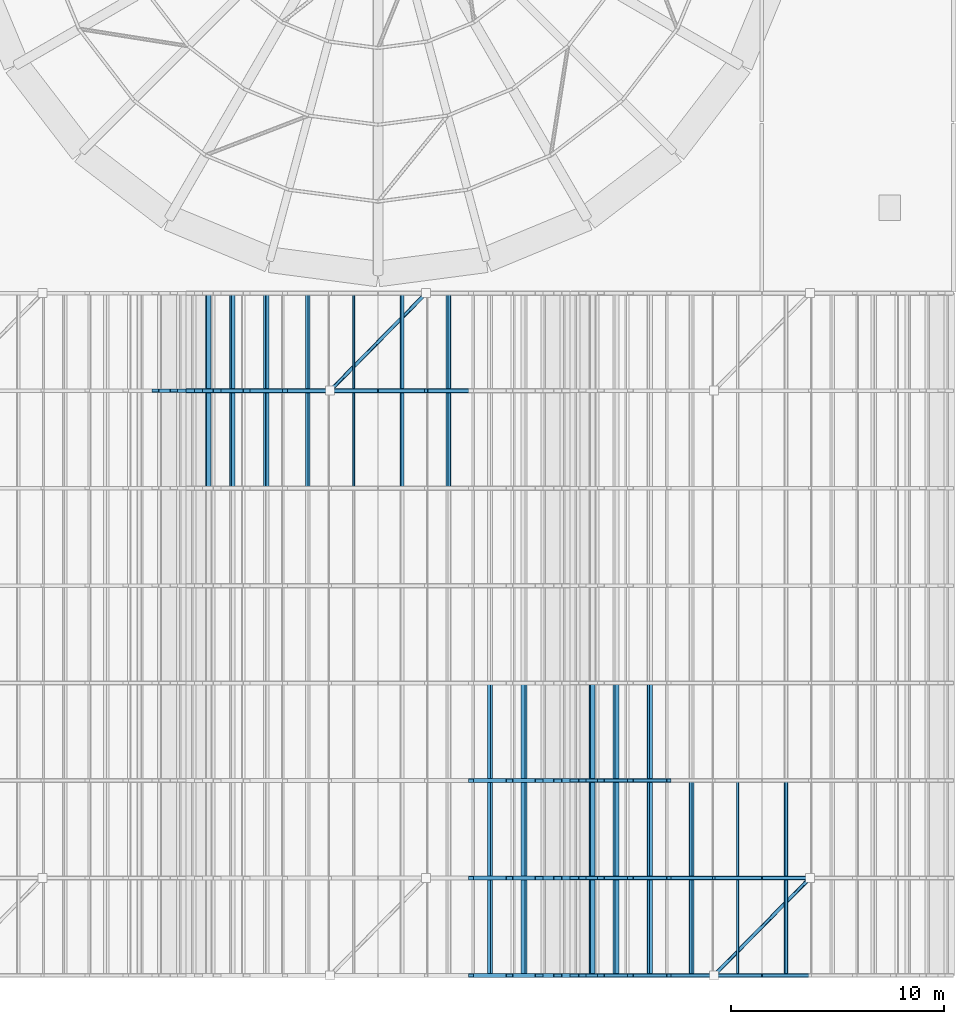
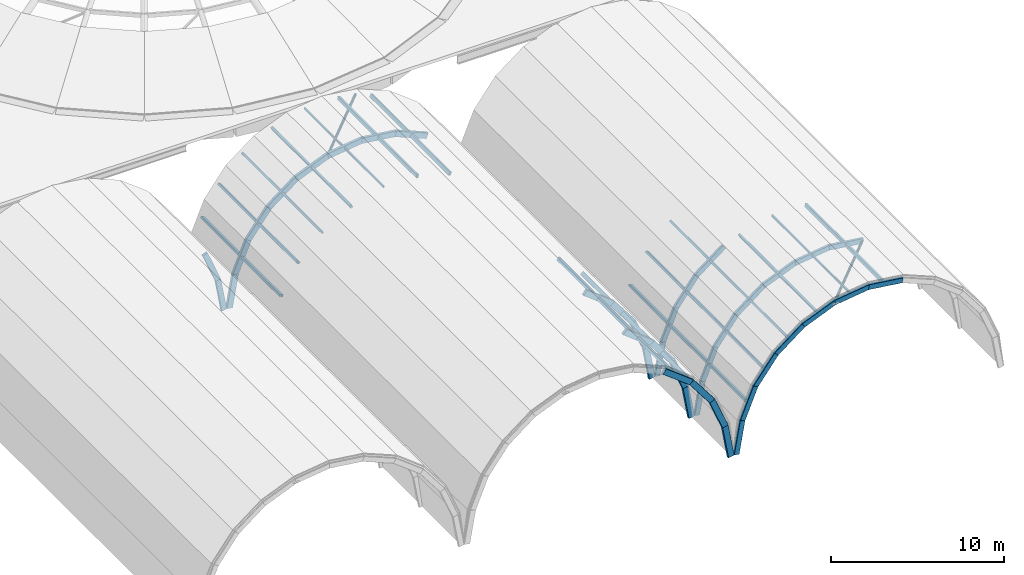
# One storey, part 4 of 25: 77 members.
"""IFC4 building model written with IfcOpenShell, lengths in metres."""

from ifc_helpers import new_model, si_unit, direction, frame, origin, origin_2d, place, context, subcontext, project, spatial, hollow_rectangle, hollow_circle, extrude, material, material_profile, profile_set, type_object, element, save


model = new_model("IFC4")

# Units and contexts
model_context = context("Model", 3, precision=1e-05, world=origin(), true_north=direction((0.0, 1.0)))
body_context = subcontext(model_context, "Body", "Model", "MODEL_VIEW")
ifc_project = project(units=[si_unit("LENGTHUNIT", "METRE"), si_unit("AREAUNIT", "SQUARE_METRE"), si_unit("VOLUMEUNIT", "CUBIC_METRE"), si_unit("PLANEANGLEUNIT", "RADIAN"), si_unit("MASSUNIT", "GRAM", prefix="KILO")], contexts=[model_context])

# Site, building, storey
site_placement = place(None, origin())
site = spatial("IfcSite", under=ifc_project, at=site_placement, CompositionType="ELEMENT")
building_placement = place(site_placement, origin())
building = spatial("IfcBuilding", under=site, at=building_placement, Name="Marnock Terrace Opera House", CompositionType="ELEMENT")
storey_placement = place(building_placement, frame((0.0, 0.0, 28.199951171875)))
storey = spatial("IfcBuildingStorey", under=building, at=storey_placement, Name="RF", CompositionType="ELEMENT", Elevation=28.199951171875)

# Members
ifc_material = material(Name="Cold-formed Steel Grade C350L0 (AS/NZS 1163)", Category="steel")
ifc_material_profile_1 = material_profile(ifc_material, hollow_circle(Radius=0.084228515625, WallThickness=0.007080078125, at=origin_2d()))
ifc_profile_set_1 = profile_set([ifc_material_profile_1], Name="Cold-formed Steel Grade C350L0 (AS/NZS 1163)")
member_type_1 = type_object("IfcMemberType", Name="MEM-BRACE-CHS2", PredefinedType="BRACE", material=ifc_profile_set_1)
for number, where, z_axis, x_axis, name in (
    (1, (79.748291015625, 35.428466796875, -0.596435546875), (0.701779574727, 0.712394152486, 0.0), (-0.712394152486, 0.701779574727, 0.0), "Barrel vault 2 roof wind brace"),
    (2, (97.748291015625, 8.0, -0.596435546875), (0.701779574727, 0.712394152486, 0.0), (-0.712394152486, 0.701779574727, 0.0), "Barrel vault 3 roof wind brace"),
):
    element("IfcMember", number, at=place(storey_placement, frame(where, z_axis=z_axis, x_axis=x_axis)), inside=storey, type_object=member_type_1, Name=name, PredefinedType="BRACE", context=body_context, shape_type="SweptSolid", body=[
        extrude(hollow_circle(Radius=0.084228515625, WallThickness=0.007080078125, at=origin_2d()), origin(), (0.0, 0.0, 1.0), 6.417236328125),
    ])
ifc_material_profile_2 = material_profile(ifc_material, hollow_rectangle(XDim=0.10009765625, YDim=0.14990234375, WallThickness=0.006103515625, InnerFilletRadius=0.006103515625, OuterFilletRadius=0.011962890625, at=origin_2d()))
ifc_profile_set_2 = profile_set([ifc_material_profile_2], Name="Cold-formed Steel Grade C350L0 (AS/NZS 1163)")
member_type_2 = type_object("IfcMemberType", Name="MEM-ROOF-GIRT", PredefinedType="PURLIN", material=ifc_profile_set_2)
member_1_placement = place(storey_placement, frame((80.8681640625, 30.857177734375, -0.402099609375), z_axis=(0.0, 1.0, 0.0), x_axis=(-0.991444861374, 0.0, -0.13052619222)))
element("IfcMember", 3, at=member_1_placement, inside=storey, type_object=member_type_2, Name="Barrel vault 2 bay 6 longitudinal purlin", PredefinedType="PURLIN", context=body_context, shape_type="SweptSolid", body=[
    extrude(hollow_rectangle(XDim=0.10009765625, YDim=0.14990234375, WallThickness=0.006103515625, InnerFilletRadius=0.006103515625, OuterFilletRadius=0.011962890625, at=origin_2d()), origin(), (0.0, 0.0, 1.0), 4.5712890625),
])
for number, where, z_axis, x_axis, name in (
    (4, (80.8681640625, 35.428466796875, -0.402099609375), (0.0, 1.0, 0.0), (-0.991444861374, 0.0, -0.13052619222), "Barrel vault 2 bay 7 longitudinal purlin"),
    (5, (98.8681640625, 8.0, -0.402099609375), (0.0, 1.0, 0.0), (-0.991444861374, 0.0, -0.13052619222), "Barrel vault 3 bay 1 longitudinal purlin"),
):
    element("IfcMember", number, at=place(storey_placement, frame(where, z_axis=z_axis, x_axis=x_axis)), inside=storey, type_object=member_type_2, Name=name, PredefinedType="PURLIN", context=body_context, shape_type="SweptSolid", body=[
        extrude(hollow_rectangle(XDim=0.10009765625, YDim=0.14990234375, WallThickness=0.006103515625, InnerFilletRadius=0.006103515625, OuterFilletRadius=0.011962890625, at=origin_2d()), origin(), (0.0, 0.0, 1.0), 4.571533203125),
    ])
member_2_placement = place(storey_placement, frame((98.8681640625, 12.571533203125, -0.402099609375), z_axis=(0.0, 1.0, 0.0), x_axis=(-0.991444861374, 0.0, -0.13052619222)))
element("IfcMember", 6, at=member_2_placement, inside=storey, type_object=member_type_2, Name="Barrel vault 3 bay 2 longitudinal purlin", PredefinedType="PURLIN", context=body_context, shape_type="SweptSolid", body=[
    extrude(hollow_rectangle(XDim=0.10009765625, YDim=0.14990234375, WallThickness=0.006103515625, InnerFilletRadius=0.006103515625, OuterFilletRadius=0.011962890625, at=origin_2d()), origin(), (0.0, 0.0, 1.0), 4.5712890625),
])
ifc_material_profile_3 = material_profile(ifc_material, hollow_rectangle(XDim=0.199951171875, YDim=0.39990234375, WallThickness=0.012451171875, InnerFilletRadius=0.012451171875, OuterFilletRadius=0.02490234375, at=origin_2d()))
ifc_profile_set_3 = profile_set([ifc_material_profile_3], Name="Cold-formed Steel Grade C350L0 (AS/NZS 1163)")
member_type_3 = type_object("IfcMemberType", Name="MEM-VAULT-ARCH1", PredefinedType="CHORD", material=ifc_profile_set_3)
for number, where, z_axis, x_axis, name in (
    (7, (86.360107421875, 8.0, -1.4482421875), (0.793349078761, 0.0, -0.608766982702), (0.0, 1.0, 0.0), "Barrel vault 2 station 1 arch chord 9"),
    (8, (88.166015625, 8.0, -2.833984375), (0.608766982702, 0.0, -0.793349078761), (0.0, 1.0, 0.0), "Barrel vault 2 station 1 arch chord 10"),
):
    element("IfcMember", number, at=place(storey_placement, frame(where, z_axis=z_axis, x_axis=x_axis)), inside=storey, type_object=member_type_3, Name=name, PredefinedType="CHORD", context=body_context, shape_type="SweptSolid", body=[
        extrude(hollow_rectangle(XDim=0.199951171875, YDim=0.39990234375, WallThickness=0.012451171875, InnerFilletRadius=0.012451171875, OuterFilletRadius=0.02490234375, at=origin_2d()), origin(), (0.0, 0.0, 1.0), 2.2763671875),
    ])
member_3_placement = place(storey_placement, frame((89.5517578125, 8.0, -4.639892578125), z_axis=(0.382642254796, 0.0, -0.923896587744), x_axis=(0.0, 1.0, 0.0)))
element("IfcMember", 9, at=member_3_placement, inside=storey, type_object=member_type_3, Name="Barrel vault 2 station 1 arch chord 11", PredefinedType="CHORD", context=body_context, shape_type="SweptSolid", body=[
    extrude(hollow_rectangle(XDim=0.199951171875, YDim=0.39990234375, WallThickness=0.012451171875, InnerFilletRadius=0.012451171875, OuterFilletRadius=0.02490234375, at=origin_2d()), origin(), (0.0, 0.0, 1.0), 2.276611328125),
])
member_4_placement = place(storey_placement, frame((90.4228515625, 8.0, -6.7431640625), z_axis=(0.173341635248, 0.0, -0.984861755522), x_axis=(0.0, 1.0, 0.0)))
element("IfcMember", 10, at=member_4_placement, inside=storey, type_object=member_type_3, Name="Barrel vault 2 station 1 arch chord 12", PredefinedType="CHORD", context=body_context, shape_type="SweptSolid", body=[
    extrude(hollow_rectangle(XDim=0.199951171875, YDim=0.39990234375, WallThickness=0.012451171875, InnerFilletRadius=0.012451171875, OuterFilletRadius=0.02490234375, at=origin_2d()), origin(), (0.0, 0.0, 1.0), 2.29150390625),
])
for number, where, z_axis, x_axis, name in (
    (11, (86.360107421875, 12.571533203125, -1.4482421875), (0.793349078761, 0.0, -0.608766982702), (0.0, 1.0, 0.0), "Barrel vault 2 station 2 arch chord 9"),
    (12, (88.166015625, 12.571533203125, -2.833984375), (0.608766982702, 0.0, -0.793349078761), (0.0, 1.0, 0.0), "Barrel vault 2 station 2 arch chord 10"),
):
    element("IfcMember", number, at=place(storey_placement, frame(where, z_axis=z_axis, x_axis=x_axis)), inside=storey, type_object=member_type_3, Name=name, PredefinedType="CHORD", context=body_context, shape_type="SweptSolid", body=[
        extrude(hollow_rectangle(XDim=0.199951171875, YDim=0.39990234375, WallThickness=0.012451171875, InnerFilletRadius=0.012451171875, OuterFilletRadius=0.02490234375, at=origin_2d()), origin(), (0.0, 0.0, 1.0), 2.2763671875),
    ])
member_5_placement = place(storey_placement, frame((89.5517578125, 12.571533203125, -4.639892578125), z_axis=(0.382642254796, 0.0, -0.923896587744), x_axis=(0.0, 1.0, 0.0)))
element("IfcMember", 13, at=member_5_placement, inside=storey, type_object=member_type_3, Name="Barrel vault 2 station 2 arch chord 11", PredefinedType="CHORD", context=body_context, shape_type="SweptSolid", body=[
    extrude(hollow_rectangle(XDim=0.199951171875, YDim=0.39990234375, WallThickness=0.012451171875, InnerFilletRadius=0.012451171875, OuterFilletRadius=0.02490234375, at=origin_2d()), origin(), (0.0, 0.0, 1.0), 2.276611328125),
])
member_6_placement = place(storey_placement, frame((90.4228515625, 12.571533203125, -6.7431640625), z_axis=(0.173341635248, 0.0, -0.984861755522), x_axis=(0.0, 1.0, 0.0)))
element("IfcMember", 14, at=member_6_placement, inside=storey, type_object=member_type_3, Name="Barrel vault 2 station 2 arch chord 12", PredefinedType="CHORD", context=body_context, shape_type="SweptSolid", body=[
    extrude(hollow_rectangle(XDim=0.199951171875, YDim=0.39990234375, WallThickness=0.012451171875, InnerFilletRadius=0.012451171875, OuterFilletRadius=0.02490234375, at=origin_2d()), origin(), (0.0, 0.0, 1.0), 2.29150390625),
])
for number, where, z_axis, x_axis, name in (
    (15, (86.360107421875, 17.142822265625, -1.4482421875), (0.793349078761, 0.0, -0.608766982702), (0.0, 1.0, 0.0), "Barrel vault 2 station 3 arch chord 9"),
    (16, (88.166015625, 17.142822265625, -2.833984375), (0.608766982702, 0.0, -0.793349078761), (0.0, 1.0, 0.0), "Barrel vault 2 station 3 arch chord 10"),
):
    element("IfcMember", number, at=place(storey_placement, frame(where, z_axis=z_axis, x_axis=x_axis)), inside=storey, type_object=member_type_3, Name=name, PredefinedType="CHORD", context=body_context, shape_type="SweptSolid", body=[
        extrude(hollow_rectangle(XDim=0.199951171875, YDim=0.39990234375, WallThickness=0.012451171875, InnerFilletRadius=0.012451171875, OuterFilletRadius=0.02490234375, at=origin_2d()), origin(), (0.0, 0.0, 1.0), 2.2763671875),
    ])
member_7_placement = place(storey_placement, frame((89.5517578125, 17.142822265625, -4.639892578125), z_axis=(0.382642254796, 0.0, -0.923896587744), x_axis=(0.0, 1.0, 0.0)))
element("IfcMember", 17, at=member_7_placement, inside=storey, type_object=member_type_3, Name="Barrel vault 2 station 3 arch chord 11", PredefinedType="CHORD", context=body_context, shape_type="SweptSolid", body=[
    extrude(hollow_rectangle(XDim=0.199951171875, YDim=0.39990234375, WallThickness=0.012451171875, InnerFilletRadius=0.012451171875, OuterFilletRadius=0.02490234375, at=origin_2d()), origin(), (0.0, 0.0, 1.0), 2.276611328125),
])
for number, where, z_axis, x_axis, name in (
    (18, (90.4228515625, 17.142822265625, -6.7431640625), (0.173341635248, 0.0, -0.984861755522), (0.0, 1.0, 0.0), "Barrel vault 2 station 3 arch chord 12"),
    (19, (73.179931640625, 35.428466796875, -9.0), (0.173341635248, 0.0, 0.984861755522), (0.0, 1.0, 0.0), "Barrel vault 2 station 7 arch chord 1"),
):
    element("IfcMember", number, at=place(storey_placement, frame(where, z_axis=z_axis, x_axis=x_axis)), inside=storey, type_object=member_type_3, Name=name, PredefinedType="CHORD", context=body_context, shape_type="SweptSolid", body=[
        extrude(hollow_rectangle(XDim=0.199951171875, YDim=0.39990234375, WallThickness=0.012451171875, InnerFilletRadius=0.012451171875, OuterFilletRadius=0.02490234375, at=origin_2d()), origin(), (0.0, 0.0, 1.0), 2.29150390625),
    ])
member_8_placement = place(storey_placement, frame((73.5771484375, 35.428466796875, -6.7431640625), z_axis=(0.382642254796, 0.0, 0.923896587744), x_axis=(0.0, 1.0, 0.0)))
element("IfcMember", 20, at=member_8_placement, inside=storey, type_object=member_type_3, Name="Barrel vault 2 station 7 arch chord 2", PredefinedType="CHORD", context=body_context, shape_type="SweptSolid", body=[
    extrude(hollow_rectangle(XDim=0.199951171875, YDim=0.39990234375, WallThickness=0.012451171875, InnerFilletRadius=0.012451171875, OuterFilletRadius=0.02490234375, at=origin_2d()), origin(), (0.0, 0.0, 1.0), 2.276611328125),
])
for number, where, z_axis, x_axis, name in (
    (21, (74.4482421875, 35.428466796875, -4.639892578125), (0.608766982702, 0.0, 0.793349078761), (0.0, 1.0, 0.0), "Barrel vault 2 station 7 arch chord 3"),
    (22, (75.833984375, 35.428466796875, -2.833984375), (0.793349078761, 0.0, 0.608766982702), (0.0, 1.0, 0.0), "Barrel vault 2 station 7 arch chord 4"),
):
    element("IfcMember", number, at=place(storey_placement, frame(where, z_axis=z_axis, x_axis=x_axis)), inside=storey, type_object=member_type_3, Name=name, PredefinedType="CHORD", context=body_context, shape_type="SweptSolid", body=[
        extrude(hollow_rectangle(XDim=0.199951171875, YDim=0.39990234375, WallThickness=0.012451171875, InnerFilletRadius=0.012451171875, OuterFilletRadius=0.02490234375, at=origin_2d()), origin(), (0.0, 0.0, 1.0), 2.2763671875),
    ])
member_9_placement = place(storey_placement, frame((77.639892578125, 35.428466796875, -1.4482421875), z_axis=(0.923896587744, 0.0, 0.382642254796), x_axis=(0.0, 1.0, 0.0)))
element("IfcMember", 23, at=member_9_placement, inside=storey, type_object=member_type_3, Name="Barrel vault 2 station 7 arch chord 5", PredefinedType="CHORD", context=body_context, shape_type="SweptSolid", body=[
    extrude(hollow_rectangle(XDim=0.199951171875, YDim=0.39990234375, WallThickness=0.012451171875, InnerFilletRadius=0.012451171875, OuterFilletRadius=0.02490234375, at=origin_2d()), origin(), (0.0, 0.0, 1.0), 2.276611328125),
])
for number, where, z_axis, x_axis, name in (
    (24, (79.7431640625, 35.428466796875, -0.5771484375), (0.991444801521, 0.0, 0.130526646847), (0.0, 1.0, 0.0), "Barrel vault 2 station 7 arch chord 6"),
    (25, (82.0, 35.428466796875, -0.280029296875), (0.991444801521, 0.0, -0.130526646847), (0.0, 1.0, 0.0), "Barrel vault 2 station 7 arch chord 7"),
):
    element("IfcMember", number, at=place(storey_placement, frame(where, z_axis=z_axis, x_axis=x_axis)), inside=storey, type_object=member_type_3, Name=name, PredefinedType="CHORD", context=body_context, shape_type="SweptSolid", body=[
        extrude(hollow_rectangle(XDim=0.199951171875, YDim=0.39990234375, WallThickness=0.012451171875, InnerFilletRadius=0.012451171875, OuterFilletRadius=0.02490234375, at=origin_2d()), origin(), (0.0, 0.0, 1.0), 2.2763671875),
    ])
member_10_placement = place(storey_placement, frame((84.2568359375, 35.428466796875, -0.5771484375), z_axis=(0.923896587744, 0.0, -0.382642254796), x_axis=(0.0, 1.0, 0.0)))
element("IfcMember", 26, at=member_10_placement, inside=storey, type_object=member_type_3, Name="Barrel vault 2 station 7 arch chord 8", PredefinedType="CHORD", context=body_context, shape_type="SweptSolid", body=[
    extrude(hollow_rectangle(XDim=0.199951171875, YDim=0.39990234375, WallThickness=0.012451171875, InnerFilletRadius=0.012451171875, OuterFilletRadius=0.02490234375, at=origin_2d()), origin(), (0.0, 0.0, 1.0), 2.276611328125),
])
ifc_material_profile_4 = material_profile(ifc_material, hollow_rectangle(XDim=0.175048828125, YDim=0.35009765625, WallThickness=0.010009765625, InnerFilletRadius=0.010009765625, OuterFilletRadius=0.02001953125, at=origin_2d()))
ifc_profile_set_4 = profile_set([ifc_material_profile_4], Name="Cold-formed Steel Grade C350L0 (AS/NZS 1163)")
member_type_4 = type_object("IfcMemberType", Name="MEM-VAULT-ARCH2", PredefinedType="CHORD", material=ifc_profile_set_4)
member_11_placement = place(storey_placement, frame((71.5517578125, 35.428466796875, -4.639892578125), z_axis=(0.382642254796, 0.0, -0.923896587744), x_axis=(0.0, 1.0, 0.0)))
element("IfcMember", 27, at=member_11_placement, inside=storey, type_object=member_type_4, Name="Barrel vault 1 station 7 arch chord 11", PredefinedType="CHORD", context=body_context, shape_type="SweptSolid", body=[
    extrude(hollow_rectangle(XDim=0.175048828125, YDim=0.35009765625, WallThickness=0.010009765625, InnerFilletRadius=0.010009765625, OuterFilletRadius=0.02001953125, at=origin_2d()), origin(), (0.0, 0.0, 1.0), 2.276611328125),
])
for number, where, z_axis, x_axis, name in (
    (28, (72.4228515625, 35.428466796875, -6.7431640625), (0.173341635248, 0.0, -0.984861755522), (0.0, 1.0, 0.0), "Barrel vault 1 station 7 arch chord 12"),
    (29, (91.179931640625, 8.0, -9.0), (0.173341635248, 0.0, 0.984861755522), (0.0, 1.0, 0.0), "Barrel vault 3 station 1 arch chord 1"),
):
    element("IfcMember", number, at=place(storey_placement, frame(where, z_axis=z_axis, x_axis=x_axis)), inside=storey, type_object=member_type_4, Name=name, PredefinedType="CHORD", context=body_context, shape_type="SweptSolid", body=[
        extrude(hollow_rectangle(XDim=0.175048828125, YDim=0.35009765625, WallThickness=0.010009765625, InnerFilletRadius=0.010009765625, OuterFilletRadius=0.02001953125, at=origin_2d()), origin(), (0.0, 0.0, 1.0), 2.29150390625),
    ])
member_12_placement = place(storey_placement, frame((91.5771484375, 8.0, -6.7431640625), z_axis=(0.382642254796, 0.0, 0.923896587744), x_axis=(0.0, 1.0, 0.0)))
element("IfcMember", 30, at=member_12_placement, inside=storey, type_object=member_type_4, Name="Barrel vault 3 station 1 arch chord 2", PredefinedType="CHORD", context=body_context, shape_type="SweptSolid", body=[
    extrude(hollow_rectangle(XDim=0.175048828125, YDim=0.35009765625, WallThickness=0.010009765625, InnerFilletRadius=0.010009765625, OuterFilletRadius=0.02001953125, at=origin_2d()), origin(), (0.0, 0.0, 1.0), 2.276611328125),
])
for number, where, z_axis, x_axis, name in (
    (31, (92.4482421875, 8.0, -4.639892578125), (0.608766982702, 0.0, 0.793349078761), (0.0, 1.0, 0.0), "Barrel vault 3 station 1 arch chord 3"),
    (32, (93.833984375, 8.0, -2.833984375), (0.793349078761, 0.0, 0.608766982702), (0.0, 1.0, 0.0), "Barrel vault 3 station 1 arch chord 4"),
):
    element("IfcMember", number, at=place(storey_placement, frame(where, z_axis=z_axis, x_axis=x_axis)), inside=storey, type_object=member_type_4, Name=name, PredefinedType="CHORD", context=body_context, shape_type="SweptSolid", body=[
        extrude(hollow_rectangle(XDim=0.175048828125, YDim=0.35009765625, WallThickness=0.010009765625, InnerFilletRadius=0.010009765625, OuterFilletRadius=0.02001953125, at=origin_2d()), origin(), (0.0, 0.0, 1.0), 2.2763671875),
    ])
member_13_placement = place(storey_placement, frame((95.639892578125, 8.0, -1.4482421875), z_axis=(0.923896587744, 0.0, 0.382642254796), x_axis=(0.0, 1.0, 0.0)))
element("IfcMember", 33, at=member_13_placement, inside=storey, type_object=member_type_4, Name="Barrel vault 3 station 1 arch chord 5", PredefinedType="CHORD", context=body_context, shape_type="SweptSolid", body=[
    extrude(hollow_rectangle(XDim=0.175048828125, YDim=0.35009765625, WallThickness=0.010009765625, InnerFilletRadius=0.010009765625, OuterFilletRadius=0.02001953125, at=origin_2d()), origin(), (0.0, 0.0, 1.0), 2.276611328125),
])
for number, where, z_axis, x_axis, name in (
    (34, (97.7431640625, 8.0, -0.5771484375), (0.991444801521, 0.0, 0.130526646847), (0.0, 1.0, 0.0), "Barrel vault 3 station 1 arch chord 6"),
    (35, (100.0, 8.0, -0.280029296875), (0.991444801521, 0.0, -0.130526646847), (0.0, 1.0, 0.0), "Barrel vault 3 station 1 arch chord 7"),
):
    element("IfcMember", number, at=place(storey_placement, frame(where, z_axis=z_axis, x_axis=x_axis)), inside=storey, type_object=member_type_4, Name=name, PredefinedType="CHORD", context=body_context, shape_type="SweptSolid", body=[
        extrude(hollow_rectangle(XDim=0.175048828125, YDim=0.35009765625, WallThickness=0.010009765625, InnerFilletRadius=0.010009765625, OuterFilletRadius=0.02001953125, at=origin_2d()), origin(), (0.0, 0.0, 1.0), 2.2763671875),
    ])
member_14_placement = place(storey_placement, frame((91.179931640625, 12.571533203125, -9.0), z_axis=(0.173341635248, 0.0, 0.984861755522), x_axis=(0.0, 1.0, 0.0)))
element("IfcMember", 36, at=member_14_placement, inside=storey, type_object=member_type_4, Name="Barrel vault 3 station 2 arch chord 1", PredefinedType="CHORD", context=body_context, shape_type="SweptSolid", body=[
    extrude(hollow_rectangle(XDim=0.175048828125, YDim=0.35009765625, WallThickness=0.010009765625, InnerFilletRadius=0.010009765625, OuterFilletRadius=0.02001953125, at=origin_2d()), origin(), (0.0, 0.0, 1.0), 2.29150390625),
])
member_15_placement = place(storey_placement, frame((91.5771484375, 12.571533203125, -6.7431640625), z_axis=(0.382642254796, 0.0, 0.923896587744), x_axis=(0.0, 1.0, 0.0)))
element("IfcMember", 37, at=member_15_placement, inside=storey, type_object=member_type_4, Name="Barrel vault 3 station 2 arch chord 2", PredefinedType="CHORD", context=body_context, shape_type="SweptSolid", body=[
    extrude(hollow_rectangle(XDim=0.175048828125, YDim=0.35009765625, WallThickness=0.010009765625, InnerFilletRadius=0.010009765625, OuterFilletRadius=0.02001953125, at=origin_2d()), origin(), (0.0, 0.0, 1.0), 2.276611328125),
])
for number, where, z_axis, x_axis, name in (
    (38, (92.4482421875, 12.571533203125, -4.639892578125), (0.608766982702, 0.0, 0.793349078761), (0.0, 1.0, 0.0), "Barrel vault 3 station 2 arch chord 3"),
    (39, (93.833984375, 12.571533203125, -2.833984375), (0.793349078761, 0.0, 0.608766982702), (0.0, 1.0, 0.0), "Barrel vault 3 station 2 arch chord 4"),
):
    element("IfcMember", number, at=place(storey_placement, frame(where, z_axis=z_axis, x_axis=x_axis)), inside=storey, type_object=member_type_4, Name=name, PredefinedType="CHORD", context=body_context, shape_type="SweptSolid", body=[
        extrude(hollow_rectangle(XDim=0.175048828125, YDim=0.35009765625, WallThickness=0.010009765625, InnerFilletRadius=0.010009765625, OuterFilletRadius=0.02001953125, at=origin_2d()), origin(), (0.0, 0.0, 1.0), 2.2763671875),
    ])
member_16_placement = place(storey_placement, frame((95.639892578125, 12.571533203125, -1.4482421875), z_axis=(0.923896587744, 0.0, 0.382642254796), x_axis=(0.0, 1.0, 0.0)))
element("IfcMember", 40, at=member_16_placement, inside=storey, type_object=member_type_4, Name="Barrel vault 3 station 2 arch chord 5", PredefinedType="CHORD", context=body_context, shape_type="SweptSolid", body=[
    extrude(hollow_rectangle(XDim=0.175048828125, YDim=0.35009765625, WallThickness=0.010009765625, InnerFilletRadius=0.010009765625, OuterFilletRadius=0.02001953125, at=origin_2d()), origin(), (0.0, 0.0, 1.0), 2.276611328125),
])
for number, where, z_axis, x_axis, name in (
    (41, (97.7431640625, 12.571533203125, -0.5771484375), (0.991444801521, 0.0, 0.130526646847), (0.0, 1.0, 0.0), "Barrel vault 3 station 2 arch chord 6"),
    (42, (100.0, 12.571533203125, -0.280029296875), (0.991444801521, 0.0, -0.130526646847), (0.0, 1.0, 0.0), "Barrel vault 3 station 2 arch chord 7"),
):
    element("IfcMember", number, at=place(storey_placement, frame(where, z_axis=z_axis, x_axis=x_axis)), inside=storey, type_object=member_type_4, Name=name, PredefinedType="CHORD", context=body_context, shape_type="SweptSolid", body=[
        extrude(hollow_rectangle(XDim=0.175048828125, YDim=0.35009765625, WallThickness=0.010009765625, InnerFilletRadius=0.010009765625, OuterFilletRadius=0.02001953125, at=origin_2d()), origin(), (0.0, 0.0, 1.0), 2.2763671875),
    ])
member_17_placement = place(storey_placement, frame((91.179931640625, 17.142822265625, -9.0), z_axis=(0.173341635248, 0.0, 0.984861755522), x_axis=(0.0, 1.0, 0.0)))
element("IfcMember", 43, at=member_17_placement, inside=storey, type_object=member_type_4, Name="Barrel vault 3 station 3 arch chord 1", PredefinedType="CHORD", context=body_context, shape_type="SweptSolid", body=[
    extrude(hollow_rectangle(XDim=0.175048828125, YDim=0.35009765625, WallThickness=0.010009765625, InnerFilletRadius=0.010009765625, OuterFilletRadius=0.02001953125, at=origin_2d()), origin(), (0.0, 0.0, 1.0), 2.29150390625),
])
member_18_placement = place(storey_placement, frame((91.5771484375, 17.142822265625, -6.7431640625), z_axis=(0.382642254796, 0.0, 0.923896587744), x_axis=(0.0, 1.0, 0.0)))
element("IfcMember", 44, at=member_18_placement, inside=storey, type_object=member_type_4, Name="Barrel vault 3 station 3 arch chord 2", PredefinedType="CHORD", context=body_context, shape_type="SweptSolid", body=[
    extrude(hollow_rectangle(XDim=0.175048828125, YDim=0.35009765625, WallThickness=0.010009765625, InnerFilletRadius=0.010009765625, OuterFilletRadius=0.02001953125, at=origin_2d()), origin(), (0.0, 0.0, 1.0), 2.276611328125),
])
for number, where, z_axis, x_axis, name in (
    (45, (92.4482421875, 17.142822265625, -4.639892578125), (0.608766982702, 0.0, 0.793349078761), (0.0, 1.0, 0.0), "Barrel vault 3 station 3 arch chord 3"),
    (46, (93.833984375, 17.142822265625, -2.833984375), (0.793349078761, 0.0, 0.608766982702), (0.0, 1.0, 0.0), "Barrel vault 3 station 3 arch chord 4"),
):
    element("IfcMember", number, at=place(storey_placement, frame(where, z_axis=z_axis, x_axis=x_axis)), inside=storey, type_object=member_type_4, Name=name, PredefinedType="CHORD", context=body_context, shape_type="SweptSolid", body=[
        extrude(hollow_rectangle(XDim=0.175048828125, YDim=0.35009765625, WallThickness=0.010009765625, InnerFilletRadius=0.010009765625, OuterFilletRadius=0.02001953125, at=origin_2d()), origin(), (0.0, 0.0, 1.0), 2.2763671875),
    ])
ifc_material_profile_5 = material_profile(ifc_material, hollow_rectangle(XDim=0.14990234375, YDim=0.25, WallThickness=0.009033203125, InnerFilletRadius=0.009033203125, OuterFilletRadius=0.01806640625, at=origin_2d()))
ifc_profile_set_5 = profile_set([ifc_material_profile_5], Name="Cold-formed Steel Grade C350L0 (AS/NZS 1163)")
member_type_5 = type_object("IfcMemberType", Name="MEM-VAULT-PURL", PredefinedType="PURLIN", material=ifc_profile_set_5)
for number, where, z_axis, x_axis, name in (
    (47, (87.248779296875, 8.0, -2.15966796875), (0.0, 1.0, 0.0), (-0.793353340291, 0.0, 0.608761429009), "Barrel vault 2 bay 1 longitudinal purlin"),
    (48, (88.84033203125, 8.0, -3.751220703125), (0.0, 1.0, 0.0), (-0.608761429009, 0.0, 0.793353340291), "Barrel vault 2 bay 1 longitudinal purlin"),
):
    element("IfcMember", number, at=place(storey_placement, frame(where, z_axis=z_axis, x_axis=x_axis)), inside=storey, type_object=member_type_5, Name=name, PredefinedType="PURLIN", context=body_context, shape_type="SweptSolid", body=[
        extrude(hollow_rectangle(XDim=0.14990234375, YDim=0.25, WallThickness=0.009033203125, InnerFilletRadius=0.009033203125, OuterFilletRadius=0.01806640625, at=origin_2d()), origin(), (0.0, 0.0, 1.0), 4.571533203125),
    ])
for number, where, z_axis, x_axis, name in (
    (49, (87.248779296875, 12.571533203125, -2.15966796875), (0.0, 1.0, 0.0), (-0.793353340291, 0.0, 0.608761429009), "Barrel vault 2 bay 2 longitudinal purlin"),
    (50, (88.84033203125, 12.571533203125, -3.751220703125), (0.0, 1.0, 0.0), (-0.608761429009, 0.0, 0.793353340291), "Barrel vault 2 bay 2 longitudinal purlin"),
):
    element("IfcMember", number, at=place(storey_placement, frame(where, z_axis=z_axis, x_axis=x_axis)), inside=storey, type_object=member_type_5, Name=name, PredefinedType="PURLIN", context=body_context, shape_type="SweptSolid", body=[
        extrude(hollow_rectangle(XDim=0.14990234375, YDim=0.25, WallThickness=0.009033203125, InnerFilletRadius=0.009033203125, OuterFilletRadius=0.01806640625, at=origin_2d()), origin(), (0.0, 0.0, 1.0), 4.5712890625),
    ])
for number, where, z_axis, x_axis, name in (
    (51, (87.248779296875, 17.142822265625, -2.15966796875), (0.0, 1.0, 0.0), (-0.793353340291, 0.0, 0.608761429009), "Barrel vault 2 bay 3 longitudinal purlin"),
    (52, (88.84033203125, 17.142822265625, -3.751220703125), (0.0, 1.0, 0.0), (-0.608761429009, 0.0, 0.793353340291), "Barrel vault 2 bay 3 longitudinal purlin"),
):
    element("IfcMember", number, at=place(storey_placement, frame(where, z_axis=z_axis, x_axis=x_axis)), inside=storey, type_object=member_type_5, Name=name, PredefinedType="PURLIN", context=body_context, shape_type="SweptSolid", body=[
        extrude(hollow_rectangle(XDim=0.14990234375, YDim=0.25, WallThickness=0.009033203125, InnerFilletRadius=0.009033203125, OuterFilletRadius=0.01806640625, at=origin_2d()), origin(), (0.0, 0.0, 1.0), 4.571533203125),
    ])
for number, where, z_axis, x_axis, name in (
    (53, (74.034423828125, 30.857177734375, -5.700439453125), (0.0, 1.0, 0.0), (-0.382683432365, 0.0, -0.923879532511), "Barrel vault 2 bay 6 longitudinal purlin"),
    (54, (75.15966796875, 30.857177734375, -3.751220703125), (0.0, 1.0, 0.0), (-0.608761429009, 0.0, -0.793353340291), "Barrel vault 2 bay 6 longitudinal purlin"),
    (55, (76.751220703125, 30.857177734375, -2.15966796875), (0.0, 1.0, 0.0), (-0.793353340291, 0.0, -0.608761429009), "Barrel vault 2 bay 6 longitudinal purlin"),
    (56, (78.700439453125, 30.857177734375, -1.0341796875), (0.0, 1.0, 0.0), (-0.923879532511, 0.0, -0.382683432365), "Barrel vault 2 bay 6 longitudinal purlin"),
    (57, (83.12548828125, 30.857177734375, -0.45166015625), (0.0, 1.0, 0.0), (-0.991444861374, 0.0, 0.13052619222), "Barrel vault 2 bay 6 longitudinal purlin"),
    (58, (85.299560546875, 30.857177734375, -1.0341796875), (0.0, 1.0, 0.0), (-0.923879532511, 0.0, 0.382683432365), "Barrel vault 2 bay 6 longitudinal purlin"),
):
    element("IfcMember", number, at=place(storey_placement, frame(where, z_axis=z_axis, x_axis=x_axis)), inside=storey, type_object=member_type_5, Name=name, PredefinedType="PURLIN", context=body_context, shape_type="SweptSolid", body=[
        extrude(hollow_rectangle(XDim=0.14990234375, YDim=0.25, WallThickness=0.009033203125, InnerFilletRadius=0.009033203125, OuterFilletRadius=0.01806640625, at=origin_2d()), origin(), (0.0, 0.0, 1.0), 4.5712890625),
    ])
for number, where, z_axis, x_axis, name in (
    (59, (74.034423828125, 35.428466796875, -5.700439453125), (0.0, 1.0, 0.0), (-0.382683432365, 0.0, -0.923879532511), "Barrel vault 2 bay 7 longitudinal purlin"),
    (60, (75.15966796875, 35.428466796875, -3.751220703125), (0.0, 1.0, 0.0), (-0.608761429009, 0.0, -0.793353340291), "Barrel vault 2 bay 7 longitudinal purlin"),
    (61, (76.751220703125, 35.428466796875, -2.15966796875), (0.0, 1.0, 0.0), (-0.793353340291, 0.0, -0.608761429009), "Barrel vault 2 bay 7 longitudinal purlin"),
    (62, (78.700439453125, 35.428466796875, -1.0341796875), (0.0, 1.0, 0.0), (-0.923879532511, 0.0, -0.382683432365), "Barrel vault 2 bay 7 longitudinal purlin"),
    (63, (83.12548828125, 35.428466796875, -0.45166015625), (0.0, 1.0, 0.0), (-0.991444861374, 0.0, 0.13052619222), "Barrel vault 2 bay 7 longitudinal purlin"),
    (64, (85.299560546875, 35.428466796875, -1.0341796875), (0.0, 1.0, 0.0), (-0.923879532511, 0.0, 0.382683432365), "Barrel vault 2 bay 7 longitudinal purlin"),
    (65, (92.034423828125, 8.0, -5.700439453125), (0.0, 1.0, 0.0), (-0.382683432365, 0.0, -0.923879532511), "Barrel vault 3 bay 1 longitudinal purlin"),
    (66, (93.15966796875, 8.0, -3.751220703125), (0.0, 1.0, 0.0), (-0.608761429009, 0.0, -0.793353340291), "Barrel vault 3 bay 1 longitudinal purlin"),
    (67, (94.751220703125, 8.0, -2.15966796875), (0.0, 1.0, 0.0), (-0.793353340291, 0.0, -0.608761429009), "Barrel vault 3 bay 1 longitudinal purlin"),
    (68, (96.700439453125, 8.0, -1.0341796875), (0.0, 1.0, 0.0), (-0.923879532511, 0.0, -0.382683432365), "Barrel vault 3 bay 1 longitudinal purlin"),
    (69, (101.12548828125, 8.0, -0.45166015625), (0.0, 1.0, 0.0), (-0.991444861374, 0.0, 0.13052619222), "Barrel vault 3 bay 1 longitudinal purlin"),
):
    element("IfcMember", number, at=place(storey_placement, frame(where, z_axis=z_axis, x_axis=x_axis)), inside=storey, type_object=member_type_5, Name=name, PredefinedType="PURLIN", context=body_context, shape_type="SweptSolid", body=[
        extrude(hollow_rectangle(XDim=0.14990234375, YDim=0.25, WallThickness=0.009033203125, InnerFilletRadius=0.009033203125, OuterFilletRadius=0.01806640625, at=origin_2d()), origin(), (0.0, 0.0, 1.0), 4.571533203125),
    ])
for number, where, z_axis, x_axis, name in (
    (70, (92.034423828125, 12.571533203125, -5.700439453125), (0.0, 1.0, 0.0), (-0.382683432365, 0.0, -0.923879532511), "Barrel vault 3 bay 2 longitudinal purlin"),
    (71, (93.15966796875, 12.571533203125, -3.751220703125), (0.0, 1.0, 0.0), (-0.608761429009, 0.0, -0.793353340291), "Barrel vault 3 bay 2 longitudinal purlin"),
    (72, (94.751220703125, 12.571533203125, -2.15966796875), (0.0, 1.0, 0.0), (-0.793353340291, 0.0, -0.608761429009), "Barrel vault 3 bay 2 longitudinal purlin"),
    (73, (96.700439453125, 12.571533203125, -1.0341796875), (0.0, 1.0, 0.0), (-0.923879532511, 0.0, -0.382683432365), "Barrel vault 3 bay 2 longitudinal purlin"),
    (74, (101.12548828125, 12.571533203125, -0.45166015625), (0.0, 1.0, 0.0), (-0.991444861374, 0.0, 0.13052619222), "Barrel vault 3 bay 2 longitudinal purlin"),
):
    element("IfcMember", number, at=place(storey_placement, frame(where, z_axis=z_axis, x_axis=x_axis)), inside=storey, type_object=member_type_5, Name=name, PredefinedType="PURLIN", context=body_context, shape_type="SweptSolid", body=[
        extrude(hollow_rectangle(XDim=0.14990234375, YDim=0.25, WallThickness=0.009033203125, InnerFilletRadius=0.009033203125, OuterFilletRadius=0.01806640625, at=origin_2d()), origin(), (0.0, 0.0, 1.0), 4.5712890625),
    ])
for number, where, z_axis, x_axis, name in (
    (75, (92.034423828125, 17.142822265625, -5.700439453125), (0.0, 1.0, 0.0), (-0.382683432365, 0.0, -0.923879532511), "Barrel vault 3 bay 3 longitudinal purlin"),
    (76, (93.15966796875, 17.142822265625, -3.751220703125), (0.0, 1.0, 0.0), (-0.608761429009, 0.0, -0.793353340291), "Barrel vault 3 bay 3 longitudinal purlin"),
    (77, (94.751220703125, 17.142822265625, -2.15966796875), (0.0, 1.0, 0.0), (-0.793353340291, 0.0, -0.608761429009), "Barrel vault 3 bay 3 longitudinal purlin"),
):
    element("IfcMember", number, at=place(storey_placement, frame(where, z_axis=z_axis, x_axis=x_axis)), inside=storey, type_object=member_type_5, Name=name, PredefinedType="PURLIN", context=body_context, shape_type="SweptSolid", body=[
        extrude(hollow_rectangle(XDim=0.14990234375, YDim=0.25, WallThickness=0.009033203125, InnerFilletRadius=0.009033203125, OuterFilletRadius=0.01806640625, at=origin_2d()), origin(), (0.0, 0.0, 1.0), 4.571533203125),
    ])

save(model, "model.ifc")
